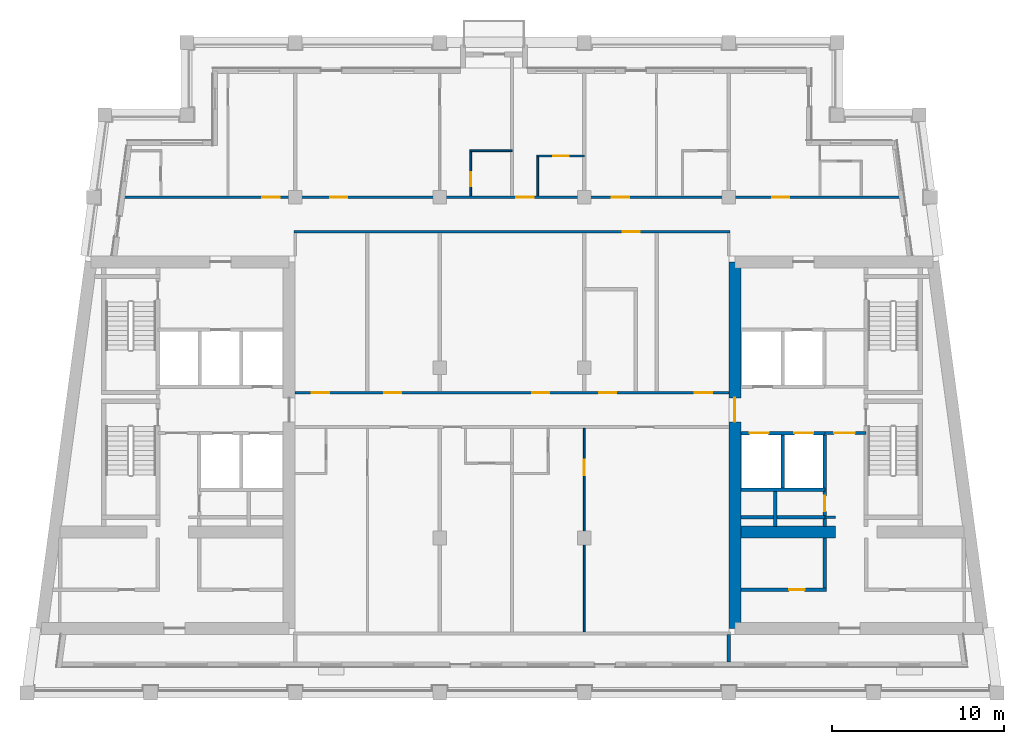
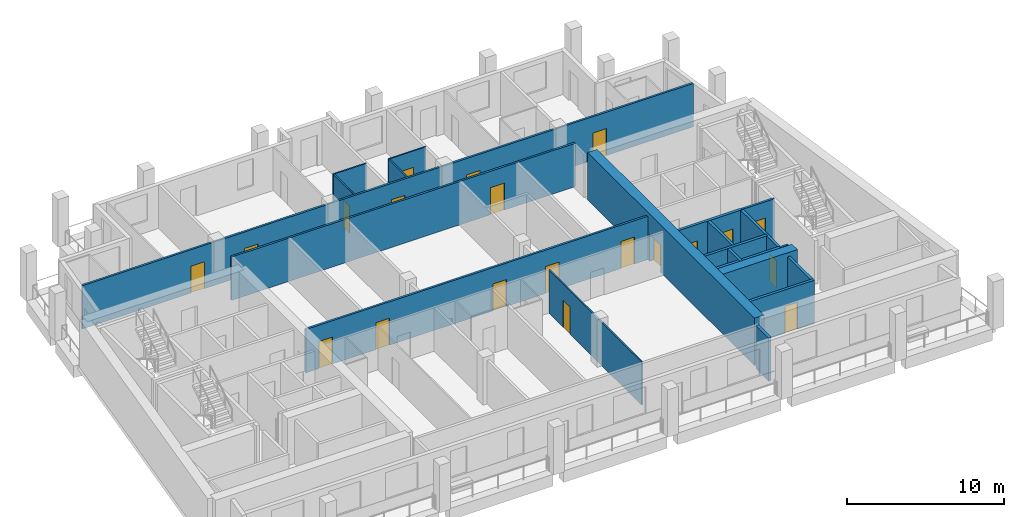
# One storey, part 4 of 14: 21 walls, 20 doors, 20 openings.
"""IFC4 building model written with IfcOpenShell, lengths in metres."""

from ifc_helpers import new_model, si_unit, direction, frame, frame_2d, origin, place, context, subcontext, project, spatial, rectangle, extrude, material, layer, layer_set, type_object, element, fill, save


model = new_model("IFC4")

# Units and contexts
model_context = context("Model", 3, precision=1e-05, world=origin(), true_north=direction((0.0, 1.0)))
body_context = subcontext(model_context, "Body", "Model", "MODEL_VIEW")
ifc_project = project(units=[si_unit("LENGTHUNIT", "METRE"), si_unit("AREAUNIT", "SQUARE_METRE"), si_unit("VOLUMEUNIT", "CUBIC_METRE"), si_unit("PLANEANGLEUNIT", "RADIAN"), si_unit("MASSUNIT", "GRAM", prefix="KILO")], contexts=[model_context])

# Site, building, storey
site_placement = place(None, origin())
site = spatial("IfcSite", under=ifc_project, at=site_placement, CompositionType="ELEMENT")
building_placement = place(site_placement, origin())
building = spatial("IfcBuilding", under=site, at=building_placement, Name="Candeia Pilgrim Tower and Theatre", CompositionType="ELEMENT")
storey_placement = place(building_placement, frame((0.0, 0.0, 266.39990234375)))
storey = spatial("IfcBuildingStorey", under=building, at=storey_placement, Name="L64", CompositionType="ELEMENT", Elevation=266.39990234375)

# Wall, opening, door
ifc_material_1 = material(Name="Concrete C40/50", Category="concrete")
ifc_layer_1 = layer(ifc_material_1, 0.699951171875)
ifc_layer_set_1 = layer_set([ifc_layer_1], Name="Core wall 700 C40/50")
wall_type_1 = type_object("IfcWallType", Name="Core wall 700 C40/50", PredefinedType="SHEAR", material=ifc_layer_set_1)
wall_1_placement = place(storey_placement, frame((126.35009765625, 110.75, 0.0), z_axis=(0.0, 0.0, 1.0), x_axis=(0.0, 1.0, 0.0)))
wall_1 = element("IfcWall", 1, at=wall_1_placement, inside=storey, type_object=wall_type_1, Name="Core wall E4", PredefinedType="SHEAR", context=body_context, shape_type="SweptSolid", body=[
    extrude(rectangle(XDim=21.300048828125, YDim=0.699951171875, at=frame_2d((10.64990234375, 0.0))), origin(), (0.0, 0.0, 1.0), 3.7001953125),
])
opening_1_placement = place(wall_1_placement, frame((12.0, 0.0, 0.0)))
opening_1 = element("IfcOpeningElement", 2, at=opening_1_placement, cuts=wall_1, Name="Opening L64-D046", PredefinedType="OPENING", context=body_context, shape_type="SweptSolid", body=[
    extrude(rectangle(XDim=1.39990234375, YDim=2.10009765625, at=frame_2d((0.699951171875, 1.050048828125))), frame((0.0, 0.35986328125, 0.0), z_axis=(0.0, -1.0, 0.0), x_axis=(1.0, 0.0, 0.0)), (0.0, 0.0, 1.0), 0.719970703125),
])
ifc_material_2 = material(Name="Steel fire door set", Category="steel")
door_type_1 = type_object("IfcDoorType", Name="D-1400-FD60", OperationType="NOTDEFINED", PredefinedType="DOOR", material=ifc_material_2)
door_1_placement = place(opening_1_placement, origin())
door_1 = element("IfcDoor", 3, at=door_1_placement, inside=storey, type_object=door_type_1, Name="Door L64-D046", OperationType="SINGLE_SWING_RIGHT", OverallHeight=2.10009765625, OverallWidth=1.39990234375, PredefinedType="DOOR", context=body_context, shape_type="SweptSolid", body=[
    extrude(rectangle(XDim=1.39990234375, YDim=2.10009765625, at=frame_2d((0.699951171875, 1.050048828125))), frame((0.0, 0.02490234375, 0.0), z_axis=(0.0, -1.0, 0.0), x_axis=(1.0, 0.0, 0.0)), (0.0, 0.0, 1.0), 0.050048828125),
])
fill(opening_1, door_1)

# Wall
wall_2_placement = place(storey_placement, frame((126.699951171875, 116.35009765625, 0.0), z_axis=(0.0, 0.0, 1.0), x_axis=(1.0, 0.0, 0.0)))
element("IfcWall", 4, at=wall_2_placement, inside=storey, type_object=wall_type_1, Name="Core wall E5", PredefinedType="SHEAR", context=body_context, shape_type="SweptSolid", body=[
    extrude(rectangle(XDim=5.5, YDim=0.699951171875, at=frame_2d((2.75, 0.0))), origin(), (0.0, 0.0, 1.0), 3.7001953125),
])

# Wall, opening, door
ifc_material_3 = material(Name="Gypsum board partition on steel studs", Category="steel")
ifc_layer_2 = layer(ifc_material_3, 0.10009765625)
ifc_layer_set_2 = layer_set([ifc_layer_2], Name="PW-100 room partition")
wall_type_2 = type_object("IfcWallType", Name="PW-100 room partition", PredefinedType="PARTITIONING", material=ifc_layer_set_2)
wall_3_placement = place(storey_placement, frame((114.85009765625, 138.199951171875, 0.0), z_axis=(0.0, 0.0, 1.0), x_axis=(1.0, 0.0, 0.0)))
wall_3 = element("IfcWall", 5, at=wall_3_placement, inside=storey, type_object=wall_type_2, Name="Room partition L64-039", PredefinedType="PARTITIONING", context=body_context, shape_type="SweptSolid", body=[
    extrude(rectangle(XDim=2.75, YDim=0.10009765625, at=frame_2d((1.375, 0.0))), origin(), (0.0, 0.0, 1.0), 3.380126953125),
])
opening_2_placement = place(wall_3_placement, frame((0.949951171875, 0.0, 0.0)))
opening_2 = element("IfcOpeningElement", 6, at=opening_2_placement, cuts=wall_3, Name="Opening L64-D028", PredefinedType="OPENING", context=body_context, shape_type="SweptSolid", body=[
    extrude(rectangle(XDim=0.89990234375, YDim=2.10009765625, at=frame_2d((0.449951171875, 1.050048828125))), frame((0.0, 0.06005859375, 0.0), z_axis=(0.0, -1.0, 0.0), x_axis=(1.0, 0.0, 0.0)), (0.0, 0.0, 1.0), 0.1201171875),
])
ifc_material_4 = material(Name="Timber door leaf", Category="wood")
door_type_2 = type_object("IfcDoorType", Name="D-900", OperationType="NOTDEFINED", PredefinedType="DOOR", material=ifc_material_4)
door_2_placement = place(opening_2_placement, origin())
door_2 = element("IfcDoor", 7, at=door_2_placement, inside=storey, type_object=door_type_2, Name="Door L64-D028", OperationType="SINGLE_SWING_RIGHT", OverallHeight=2.10009765625, OverallWidth=0.89990234375, PredefinedType="DOOR", context=body_context, shape_type="SweptSolid", body=[
    extrude(rectangle(XDim=0.89990234375, YDim=2.10009765625, at=frame_2d((0.449951171875, 1.050048828125))), frame((0.0, 0.02490234375, 0.0), z_axis=(0.0, -1.0, 0.0), x_axis=(1.0, 0.0, 0.0)), (0.0, 0.0, 1.0), 0.050048828125),
])
fill(opening_2, door_2)

# Wall
wall_4_placement = place(storey_placement, frame((110.949951171875, 138.5, 0.0), z_axis=(0.0, 0.0, 1.0), x_axis=(1.0, 0.0, 0.0)))
element("IfcWall", 8, at=wall_4_placement, inside=storey, type_object=wall_type_2, Name="Room partition L64-041", PredefinedType="PARTITIONING", context=body_context, shape_type="SweptSolid", body=[
    extrude(rectangle(XDim=2.449951171875, YDim=0.10009765625, at=frame_2d((1.22509765625, 0.0))), origin(), (0.0, 0.0, 1.0), 3.380126953125),
])

# Wall, opening, door
wall_5_placement = place(storey_placement, frame((111.0, 135.875, 0.0), z_axis=(0.0, 0.0, 1.0), x_axis=(0.0, 1.0, 0.0)))
wall_5 = element("IfcWall", 9, at=wall_5_placement, inside=storey, type_object=wall_type_2, Name="Room partition L64-069", PredefinedType="PARTITIONING", context=body_context, shape_type="SweptSolid", body=[
    extrude(rectangle(XDim=2.574951171875, YDim=0.10009765625, at=frame_2d((1.28759765625, 0.0))), origin(), (0.0, 0.0, 1.0), 3.380126953125),
])
opening_3_placement = place(wall_5_placement, frame((0.574951171875, 0.0, 0.0)))
opening_3 = element("IfcOpeningElement", 10, at=opening_3_placement, cuts=wall_5, Name="Opening L64-D026", PredefinedType="OPENING", context=body_context, shape_type="SweptSolid", body=[
    extrude(rectangle(XDim=0.800048828125, YDim=2.10009765625, at=frame_2d((0.39990234375, 1.050048828125))), frame((0.0, 0.06005859375, 0.0), z_axis=(0.0, -1.0, 0.0), x_axis=(1.0, 0.0, 0.0)), (0.0, 0.0, 1.0), 0.1201171875),
])
door_type_3 = type_object("IfcDoorType", Name="D-800", OperationType="NOTDEFINED", PredefinedType="DOOR", material=ifc_material_4)
door_3_placement = place(opening_3_placement, origin())
door_3 = element("IfcDoor", 11, at=door_3_placement, inside=storey, type_object=door_type_3, Name="Door L64-D026", OperationType="SINGLE_SWING_RIGHT", OverallHeight=2.10009765625, OverallWidth=0.800048828125, PredefinedType="DOOR", context=body_context, shape_type="SweptSolid", body=[
    extrude(rectangle(XDim=0.800048828125, YDim=2.10009765625, at=frame_2d((0.39990234375, 1.050048828125))), frame((0.0, 0.02490234375, 0.0), z_axis=(0.0, -1.0, 0.0), x_axis=(1.0, 0.0, 0.0)), (0.0, 0.0, 1.0), 0.050048828125),
])
fill(opening_3, door_3)

# Wall
wall_6_placement = place(storey_placement, frame((114.89990234375, 135.875, 0.0), z_axis=(0.0, 0.0, 1.0), x_axis=(0.0, 1.0, 0.0)))
element("IfcWall", 12, at=wall_6_placement, inside=storey, type_object=wall_type_2, Name="Room partition L64-072", PredefinedType="PARTITIONING", context=body_context, shape_type="SweptSolid", body=[
    extrude(rectangle(XDim=2.27490234375, YDim=0.10009765625, at=frame_2d((1.137451171875, 0.0))), origin(), (0.0, 0.0, 1.0), 3.380126953125),
])

# Wall, opening, door
wall_7_placement = place(storey_placement, frame((117.60009765625, 110.550048828125, 0.0), z_axis=(0.0, 0.0, 1.0), x_axis=(0.0, 1.0, 0.0)))
wall_7 = element("IfcWall", 13, at=wall_7_placement, inside=storey, type_object=wall_type_2, Name="Room partition L64-074", PredefinedType="PARTITIONING", context=body_context, shape_type="SweptSolid", body=[
    extrude(rectangle(XDim=11.824951171875, YDim=0.10009765625, at=frame_2d((5.91259765625, 0.0))), origin(), (0.0, 0.0, 1.0), 3.380126953125),
])
opening_4_placement = place(wall_7_placement, frame((9.090087890625, 0.0, 0.0)))
opening_4 = element("IfcOpeningElement", 14, at=opening_4_placement, cuts=wall_7, Name="Opening L64-D019", PredefinedType="OPENING", context=body_context, shape_type="SweptSolid", body=[
    extrude(rectangle(XDim=0.89990234375, YDim=2.10009765625, at=frame_2d((0.449951171875, 1.050048828125))), frame((0.0, 0.06005859375, 0.0), z_axis=(0.0, -1.0, 0.0), x_axis=(1.0, 0.0, 0.0)), (0.0, 0.0, 1.0), 0.1201171875),
])
door_4_placement = place(opening_4_placement, origin())
door_4 = element("IfcDoor", 15, at=door_4_placement, inside=storey, type_object=door_type_2, Name="Door L64-D019", OperationType="SINGLE_SWING_LEFT", OverallHeight=2.10009765625, OverallWidth=0.89990234375, PredefinedType="DOOR", context=body_context, shape_type="SweptSolid", body=[
    extrude(rectangle(XDim=0.89990234375, YDim=2.10009765625, at=frame_2d((0.449951171875, 1.050048828125))), frame((0.0, 0.02490234375, 0.0), z_axis=(0.0, -1.0, 0.0), x_axis=(1.0, 0.0, 0.0)), (0.0, 0.0, 1.0), 0.050048828125),
])
fill(opening_4, door_4)

# Wall
ifc_layer_3 = layer(ifc_material_3, 0.14990234375)
ifc_layer_set_3 = layer_set([ifc_layer_3], Name="PW-150 lobby wall")
wall_type_3 = type_object("IfcWallType", Name="PW-150 lobby wall", PredefinedType="PARTITIONING", material=ifc_layer_set_3)
wall_8_placement = place(storey_placement, frame((131.572998046875, 117.199951171875, 0.0), z_axis=(0.0, 0.0, 1.0), x_axis=(1.0, 0.0, 0.0)))
element("IfcWall", 16, at=wall_8_placement, inside=storey, type_object=wall_type_3, Name="Lobby wall L64-009", PredefinedType="PARTITIONING", context=body_context, shape_type="SweptSolid", body=[
    extrude(rectangle(XDim=0.626953125, YDim=0.14990234375, at=frame_2d((0.3134765625, 0.0))), origin(), (0.0, 0.0, 1.0), 3.380126953125),
])

# Wall, opening, door
wall_9_placement = place(storey_placement, frame((131.572998046875, 122.10009765625, 0.0), z_axis=(0.0, 0.0, 1.0), x_axis=(1.0, 0.0, 0.0)))
wall_9 = element("IfcWall", 17, at=wall_9_placement, inside=storey, type_object=wall_type_3, Name="Lobby wall L64-020", PredefinedType="PARTITIONING", context=body_context, shape_type="SweptSolid", body=[
    extrude(rectangle(XDim=2.39990234375, YDim=0.14990234375, at=frame_2d((1.199951171875, 0.0))), origin(), (0.0, 0.0, 1.0), 3.380126953125),
])
opening_5_placement = place(wall_9_placement, frame((0.550048828125, 0.0, 0.0)))
opening_5 = element("IfcOpeningElement", 18, at=opening_5_placement, cuts=wall_9, Name="Opening L64-D007", PredefinedType="OPENING", context=body_context, shape_type="SweptSolid", body=[
    extrude(rectangle(XDim=1.199951171875, YDim=2.10009765625, at=frame_2d((0.60009765625, 1.050048828125))), frame((0.0, 0.0849609375, 0.0), z_axis=(0.0, -1.0, 0.0), x_axis=(1.0, 0.0, 0.0)), (0.0, 0.0, 1.0), 0.169921875),
])
door_type_4 = type_object("IfcDoorType", Name="D-1200-FD60", OperationType="NOTDEFINED", PredefinedType="DOOR", material=ifc_material_2)
door_5_placement = place(opening_5_placement, origin())
door_5 = element("IfcDoor", 19, at=door_5_placement, inside=storey, type_object=door_type_4, Name="Door L64-D007", OperationType="SINGLE_SWING_LEFT", OverallHeight=2.10009765625, OverallWidth=1.199951171875, PredefinedType="DOOR", context=body_context, shape_type="SweptSolid", body=[
    extrude(rectangle(XDim=1.199951171875, YDim=2.10009765625, at=frame_2d((0.60009765625, 1.050048828125))), frame((0.0, 0.02490234375, 0.0), z_axis=(0.0, -1.0, 0.0), x_axis=(1.0, 0.0, 0.0)), (0.0, 0.0, 1.0), 0.050048828125),
])
fill(opening_5, door_5)

# Wall, openings, doors
ifc_layer_4 = layer(ifc_material_3, 0.14990234375)
ifc_layer_set_4 = layer_set([ifc_layer_4], Name="PW-150 unit wall")
wall_type_4 = type_object("IfcWallType", Name="PW-150 unit wall", PredefinedType="PARTITIONING", material=ifc_layer_set_4)
wall_10_placement = place(storey_placement, frame((100.800048828125, 124.449951171875, 0.0), z_axis=(0.0, 0.0, 1.0), x_axis=(1.0, 0.0, 0.0)))
wall_10 = element("IfcWall", 20, at=wall_10_placement, inside=storey, type_object=wall_type_4, Name="Unit wall L64-026", PredefinedType="PARTITIONING", context=body_context, shape_type="SweptSolid", body=[
    extrude(rectangle(XDim=25.199951171875, YDim=0.14990234375, at=frame_2d((12.60009765625, 0.0))), origin(), (0.0, 0.0, 1.0), 3.380126953125),
])
opening_6_placement = place(wall_10_placement, frame((0.97509765625, 0.0, 0.0)))
opening_6 = element("IfcOpeningElement", 21, at=opening_6_placement, cuts=wall_10, Name="Opening L64-D036", PredefinedType="OPENING", context=body_context, shape_type="SweptSolid", body=[
    extrude(rectangle(XDim=1.0, YDim=2.10009765625, at=frame_2d((0.5, 1.050048828125))), frame((0.0, 0.0849609375, 0.0), z_axis=(0.0, -1.0, 0.0), x_axis=(1.0, 0.0, 0.0)), (0.0, 0.0, 1.0), 0.169921875),
])
opening_7_placement = place(wall_10_placement, frame((5.175048828125, 0.0, 0.0)))
opening_7 = element("IfcOpeningElement", 22, at=opening_7_placement, cuts=wall_10, Name="Opening L64-D037", PredefinedType="OPENING", context=body_context, shape_type="SweptSolid", body=[
    extrude(rectangle(XDim=1.0, YDim=2.10009765625, at=frame_2d((0.5, 1.050048828125))), frame((0.0, 0.0849609375, 0.0), z_axis=(0.0, -1.0, 0.0), x_axis=(1.0, 0.0, 0.0)), (0.0, 0.0, 1.0), 0.169921875),
])
opening_8_placement = place(wall_10_placement, frame((13.77490234375, 0.0, 0.0)))
opening_8 = element("IfcOpeningElement", 23, at=opening_8_placement, cuts=wall_10, Name="Opening L64-D038", PredefinedType="OPENING", context=body_context, shape_type="SweptSolid", body=[
    extrude(rectangle(XDim=1.0, YDim=2.10009765625, at=frame_2d((0.5, 1.050048828125))), frame((0.0, 0.0849609375, 0.0), z_axis=(0.0, -1.0, 0.0), x_axis=(1.0, 0.0, 0.0)), (0.0, 0.0, 1.0), 0.169921875),
])
opening_9_placement = place(wall_10_placement, frame((17.669921875, 0.0, 0.0)))
opening_9 = element("IfcOpeningElement", 24, at=opening_9_placement, cuts=wall_10, Name="Opening L64-D039", PredefinedType="OPENING", context=body_context, shape_type="SweptSolid", body=[
    extrude(rectangle(XDim=1.0, YDim=2.10009765625, at=frame_2d((0.5, 1.050048828125))), frame((0.0, 0.0849609375, 0.0), z_axis=(0.0, -1.0, 0.0), x_axis=(1.0, 0.0, 0.0)), (0.0, 0.0, 1.0), 0.169921875),
])
opening_10_placement = place(wall_10_placement, frame((23.22509765625, 0.0, 0.0)))
opening_10 = element("IfcOpeningElement", 25, at=opening_10_placement, cuts=wall_10, Name="Opening L64-D040", PredefinedType="OPENING", context=body_context, shape_type="SweptSolid", body=[
    extrude(rectangle(XDim=1.0, YDim=2.10009765625, at=frame_2d((0.5, 1.050048828125))), frame((0.0, 0.0849609375, 0.0), z_axis=(0.0, -1.0, 0.0), x_axis=(1.0, 0.0, 0.0)), (0.0, 0.0, 1.0), 0.169921875),
])
door_type_5 = type_object("IfcDoorType", Name="D-1000-FD30S", OperationType="NOTDEFINED", PredefinedType="DOOR", material=ifc_material_2)
door_6_placement = place(opening_6_placement, origin())
door_6 = element("IfcDoor", 26, at=door_6_placement, inside=storey, type_object=door_type_5, Name="Door L64-D036", OperationType="SINGLE_SWING_RIGHT", OverallHeight=2.10009765625, OverallWidth=1.0, PredefinedType="DOOR", context=body_context, shape_type="SweptSolid", body=[
    extrude(rectangle(XDim=1.0, YDim=2.10009765625, at=frame_2d((0.5, 1.050048828125))), frame((0.0, 0.02490234375, 0.0), z_axis=(0.0, -1.0, 0.0), x_axis=(1.0, 0.0, 0.0)), (0.0, 0.0, 1.0), 0.050048828125),
])
fill(opening_6, door_6)
door_7_placement = place(opening_7_placement, origin())
door_7 = element("IfcDoor", 27, at=door_7_placement, inside=storey, type_object=door_type_5, Name="Door L64-D037", OperationType="SINGLE_SWING_LEFT", OverallHeight=2.10009765625, OverallWidth=1.0, PredefinedType="DOOR", context=body_context, shape_type="SweptSolid", body=[
    extrude(rectangle(XDim=1.0, YDim=2.10009765625, at=frame_2d((0.5, 1.050048828125))), frame((0.0, 0.02490234375, 0.0), z_axis=(0.0, -1.0, 0.0), x_axis=(1.0, 0.0, 0.0)), (0.0, 0.0, 1.0), 0.050048828125),
])
fill(opening_7, door_7)
door_8_placement = place(opening_8_placement, origin())
door_8 = element("IfcDoor", 28, at=door_8_placement, inside=storey, type_object=door_type_5, Name="Door L64-D038", OperationType="SINGLE_SWING_RIGHT", OverallHeight=2.10009765625, OverallWidth=1.0, PredefinedType="DOOR", context=body_context, shape_type="SweptSolid", body=[
    extrude(rectangle(XDim=1.0, YDim=2.10009765625, at=frame_2d((0.5, 1.050048828125))), frame((0.0, 0.02490234375, 0.0), z_axis=(0.0, -1.0, 0.0), x_axis=(1.0, 0.0, 0.0)), (0.0, 0.0, 1.0), 0.050048828125),
])
fill(opening_8, door_8)
door_9_placement = place(opening_9_placement, origin())
door_9 = element("IfcDoor", 29, at=door_9_placement, inside=storey, type_object=door_type_5, Name="Door L64-D039", OperationType="SINGLE_SWING_LEFT", OverallHeight=2.10009765625, OverallWidth=1.0, PredefinedType="DOOR", context=body_context, shape_type="SweptSolid", body=[
    extrude(rectangle(XDim=1.0, YDim=2.10009765625, at=frame_2d((0.5, 1.050048828125))), frame((0.0, 0.02490234375, 0.0), z_axis=(0.0, -1.0, 0.0), x_axis=(1.0, 0.0, 0.0)), (0.0, 0.0, 1.0), 0.050048828125),
])
fill(opening_9, door_9)
door_10_placement = place(opening_10_placement, origin())
door_10 = element("IfcDoor", 30, at=door_10_placement, inside=storey, type_object=door_type_5, Name="Door L64-D040", OperationType="SINGLE_SWING_RIGHT", OverallHeight=2.10009765625, OverallWidth=1.0, PredefinedType="DOOR", context=body_context, shape_type="SweptSolid", body=[
    extrude(rectangle(XDim=1.0, YDim=2.10009765625, at=frame_2d((0.5, 1.050048828125))), frame((0.0, 0.02490234375, 0.0), z_axis=(0.0, -1.0, 0.0), x_axis=(1.0, 0.0, 0.0)), (0.0, 0.0, 1.0), 0.050048828125),
])
fill(opening_10, door_10)

# Wall, opening, door
wall_11_placement = place(storey_placement, frame((100.72509765625, 133.800048828125, 0.0), z_axis=(0.0, 0.0, 1.0), x_axis=(1.0, 0.0, 0.0)))
wall_11 = element("IfcWall", 31, at=wall_11_placement, inside=storey, type_object=wall_type_4, Name="Unit wall L64-036", PredefinedType="PARTITIONING", context=body_context, shape_type="SweptSolid", body=[
    extrude(rectangle(XDim=25.349853515625, YDim=0.14990234375, at=frame_2d((12.6748046875, 0.0))), origin(), (0.0, 0.0, 1.0), 3.380126953125),
])
opening_11_placement = place(wall_11_placement, frame((19.10009765625, 0.0, 0.0)))
opening_11 = element("IfcOpeningElement", 32, at=opening_11_placement, cuts=wall_11, Name="Opening L64-D035", PredefinedType="OPENING", context=body_context, shape_type="SweptSolid", body=[
    extrude(rectangle(XDim=1.0, YDim=2.10009765625, at=frame_2d((0.5, 1.050048828125))), frame((0.0, 0.0849609375, 0.0), z_axis=(0.0, -1.0, 0.0), x_axis=(1.0, 0.0, 0.0)), (0.0, 0.0, 1.0), 0.169921875),
])
door_11_placement = place(opening_11_placement, origin())
door_11 = element("IfcDoor", 33, at=door_11_placement, inside=storey, type_object=door_type_5, Name="Door L64-D035", OperationType="SINGLE_SWING_LEFT", OverallHeight=2.10009765625, OverallWidth=1.0, PredefinedType="DOOR", context=body_context, shape_type="SweptSolid", body=[
    extrude(rectangle(XDim=1.0, YDim=2.10009765625, at=frame_2d((0.5, 1.050048828125))), frame((0.0, 0.02490234375, 0.0), z_axis=(0.0, -1.0, 0.0), x_axis=(1.0, 0.0, 0.0)), (0.0, 0.0, 1.0), 0.050048828125),
])
fill(opening_11, door_11)

# Wall, openings, doors
wall_12_placement = place(storey_placement, frame((90.89453125, 135.800048828125, 0.0), z_axis=(0.0, 0.0, 1.0), x_axis=(1.0, 0.0, 0.0)))
wall_12 = element("IfcWall", 34, at=wall_12_placement, inside=storey, type_object=wall_type_4, Name="Unit wall L64-037", PredefinedType="PARTITIONING", context=body_context, shape_type="SweptSolid", body=[
    extrude(rectangle(XDim=45.010986328125, YDim=0.14990234375, at=frame_2d((22.50537109375, 0.0))), origin(), (0.0, 0.0, 1.0), 3.380126953125),
])
opening_12_placement = place(wall_12_placement, frame((8.00537109375, 0.0, 0.0)))
opening_12 = element("IfcOpeningElement", 35, at=opening_12_placement, cuts=wall_12, Name="Opening L64-D021", PredefinedType="OPENING", context=body_context, shape_type="SweptSolid", body=[
    extrude(rectangle(XDim=1.0, YDim=2.10009765625, at=frame_2d((0.5, 1.050048828125))), frame((0.0, 0.0849609375, 0.0), z_axis=(0.0, -1.0, 0.0), x_axis=(1.0, 0.0, 0.0)), (0.0, 0.0, 1.0), 0.169921875),
])
opening_13_placement = place(wall_12_placement, frame((11.930419921875, 0.0, 0.0)))
opening_13 = element("IfcOpeningElement", 36, at=opening_13_placement, cuts=wall_12, Name="Opening L64-D024", PredefinedType="OPENING", context=body_context, shape_type="SweptSolid", body=[
    extrude(rectangle(XDim=1.0, YDim=2.10009765625, at=frame_2d((0.5, 1.050048828125))), frame((0.0, 0.0849609375, 0.0), z_axis=(0.0, -1.0, 0.0), x_axis=(1.0, 0.0, 0.0)), (0.0, 0.0, 1.0), 0.169921875),
])
opening_14_placement = place(wall_12_placement, frame((22.75537109375, 0.0, 0.0)))
opening_14 = element("IfcOpeningElement", 37, at=opening_14_placement, cuts=wall_12, Name="Opening L64-D027", PredefinedType="OPENING", context=body_context, shape_type="SweptSolid", body=[
    extrude(rectangle(XDim=1.0, YDim=2.10009765625, at=frame_2d((0.5, 1.050048828125))), frame((0.0, 0.0849609375, 0.0), z_axis=(0.0, -1.0, 0.0), x_axis=(1.0, 0.0, 0.0)), (0.0, 0.0, 1.0), 0.169921875),
])
opening_15_placement = place(wall_12_placement, frame((28.305419921875, 0.0, 0.0)))
opening_15 = element("IfcOpeningElement", 38, at=opening_15_placement, cuts=wall_12, Name="Opening L64-D029", PredefinedType="OPENING", context=body_context, shape_type="SweptSolid", body=[
    extrude(rectangle(XDim=1.0, YDim=2.10009765625, at=frame_2d((0.5, 1.050048828125))), frame((0.0, 0.0849609375, 0.0), z_axis=(0.0, -1.0, 0.0), x_axis=(1.0, 0.0, 0.0)), (0.0, 0.0, 1.0), 0.169921875),
])
opening_16_placement = place(wall_12_placement, frame((37.615478515625, 0.0, 0.0)))
opening_16 = element("IfcOpeningElement", 39, at=opening_16_placement, cuts=wall_12, Name="Opening L64-D032", PredefinedType="OPENING", context=body_context, shape_type="SweptSolid", body=[
    extrude(rectangle(XDim=1.0, YDim=2.10009765625, at=frame_2d((0.5, 1.050048828125))), frame((0.0, 0.0849609375, 0.0), z_axis=(0.0, -1.0, 0.0), x_axis=(1.0, 0.0, 0.0)), (0.0, 0.0, 1.0), 0.169921875),
])
door_12_placement = place(opening_12_placement, origin())
door_12 = element("IfcDoor", 40, at=door_12_placement, inside=storey, type_object=door_type_5, Name="Door L64-D021", OperationType="SINGLE_SWING_LEFT", OverallHeight=2.10009765625, OverallWidth=1.0, PredefinedType="DOOR", context=body_context, shape_type="SweptSolid", body=[
    extrude(rectangle(XDim=1.0, YDim=2.10009765625, at=frame_2d((0.5, 1.050048828125))), frame((0.0, 0.02490234375, 0.0), z_axis=(0.0, -1.0, 0.0), x_axis=(1.0, 0.0, 0.0)), (0.0, 0.0, 1.0), 0.050048828125),
])
fill(opening_12, door_12)
door_13_placement = place(opening_13_placement, origin())
door_13 = element("IfcDoor", 41, at=door_13_placement, inside=storey, type_object=door_type_5, Name="Door L64-D024", OperationType="SINGLE_SWING_RIGHT", OverallHeight=2.10009765625, OverallWidth=1.0, PredefinedType="DOOR", context=body_context, shape_type="SweptSolid", body=[
    extrude(rectangle(XDim=1.0, YDim=2.10009765625, at=frame_2d((0.5, 1.050048828125))), frame((0.0, 0.02490234375, 0.0), z_axis=(0.0, -1.0, 0.0), x_axis=(1.0, 0.0, 0.0)), (0.0, 0.0, 1.0), 0.050048828125),
])
fill(opening_13, door_13)
door_14_placement = place(opening_14_placement, origin())
door_14 = element("IfcDoor", 42, at=door_14_placement, inside=storey, type_object=door_type_5, Name="Door L64-D027", OperationType="SINGLE_SWING_LEFT", OverallHeight=2.10009765625, OverallWidth=1.0, PredefinedType="DOOR", context=body_context, shape_type="SweptSolid", body=[
    extrude(rectangle(XDim=1.0, YDim=2.10009765625, at=frame_2d((0.5, 1.050048828125))), frame((0.0, 0.02490234375, 0.0), z_axis=(0.0, -1.0, 0.0), x_axis=(1.0, 0.0, 0.0)), (0.0, 0.0, 1.0), 0.050048828125),
])
fill(opening_14, door_14)
door_15_placement = place(opening_15_placement, origin())
door_15 = element("IfcDoor", 43, at=door_15_placement, inside=storey, type_object=door_type_5, Name="Door L64-D029", OperationType="SINGLE_SWING_LEFT", OverallHeight=2.10009765625, OverallWidth=1.0, PredefinedType="DOOR", context=body_context, shape_type="SweptSolid", body=[
    extrude(rectangle(XDim=1.0, YDim=2.10009765625, at=frame_2d((0.5, 1.050048828125))), frame((0.0, 0.02490234375, 0.0), z_axis=(0.0, -1.0, 0.0), x_axis=(1.0, 0.0, 0.0)), (0.0, 0.0, 1.0), 0.050048828125),
])
fill(opening_15, door_15)
door_16_placement = place(opening_16_placement, origin())
door_16 = element("IfcDoor", 44, at=door_16_placement, inside=storey, type_object=door_type_5, Name="Door L64-D032", OperationType="SINGLE_SWING_RIGHT", OverallHeight=2.10009765625, OverallWidth=1.0, PredefinedType="DOOR", context=body_context, shape_type="SweptSolid", body=[
    extrude(rectangle(XDim=1.0, YDim=2.10009765625, at=frame_2d((0.5, 1.050048828125))), frame((0.0, 0.02490234375, 0.0), z_axis=(0.0, -1.0, 0.0), x_axis=(1.0, 0.0, 0.0)), (0.0, 0.0, 1.0), 0.050048828125),
])
fill(opening_16, door_16)

# Wall
ifc_layer_5 = layer(ifc_material_3, 0.199951171875)
ifc_layer_set_5 = layer_set([ifc_layer_5], Name="PW-200 party wall")
wall_type_5 = type_object("IfcWallType", Name="PW-200 party wall", PredefinedType="PARTITIONING", material=ifc_layer_set_5)
wall_13_placement = place(storey_placement, frame((126.0, 108.7900390625, 0.0), z_axis=(0.0, 0.0, 1.0), x_axis=(0.0, 1.0, 0.0)))
element("IfcWall", 45, at=wall_13_placement, inside=storey, type_object=wall_type_5, Name="Party wall L64-081", PredefinedType="PARTITIONING", context=body_context, shape_type="SweptSolid", body=[
    extrude(rectangle(XDim=1.60986328125, YDim=0.199951171875, at=frame_2d((0.804931640625, 0.0))), origin(), (0.0, 0.0, 1.0), 3.380126953125),
])

# Wall, opening, door
ifc_layer_6 = layer(ifc_material_1, 0.199951171875)
ifc_layer_set_6 = layer_set([ifc_layer_6], Name="SW-200 shaft wall")
wall_type_6 = type_object("IfcWallType", Name="SW-200 shaft wall", PredefinedType="PARTITIONING", material=ifc_layer_set_6)
wall_14_placement = place(storey_placement, frame((126.699951171875, 113.0, 0.0), z_axis=(0.0, 0.0, 1.0), x_axis=(1.0, 0.0, 0.0)))
wall_14 = element("IfcWall", 46, at=wall_14_placement, inside=storey, type_object=wall_type_6, Name="Shaft wall L64-004", PredefinedType="PARTITIONING", context=body_context, shape_type="SweptSolid", body=[
    extrude(rectangle(XDim=4.97314453125, YDim=0.199951171875, at=frame_2d((2.486572265625, 0.0))), origin(), (0.0, 0.0, 1.0), 3.380126953125),
])
opening_17_placement = place(wall_14_placement, frame((2.804931640625, 0.0, 0.0)))
opening_17 = element("IfcOpeningElement", 47, at=opening_17_placement, cuts=wall_14, Name="Opening L64-D012", PredefinedType="OPENING", context=body_context, shape_type="SweptSolid", body=[
    extrude(rectangle(XDim=0.89990234375, YDim=2.10009765625, at=frame_2d((0.449951171875, 1.050048828125))), frame((0.0, 0.10986328125, 0.0), z_axis=(0.0, -1.0, 0.0), x_axis=(1.0, 0.0, 0.0)), (0.0, 0.0, 1.0), 0.219970703125),
])
door_type_6 = type_object("IfcDoorType", Name="D-900-FD60", OperationType="NOTDEFINED", PredefinedType="DOOR", material=ifc_material_2)
door_17_placement = place(opening_17_placement, origin())
door_17 = element("IfcDoor", 48, at=door_17_placement, inside=storey, type_object=door_type_6, Name="Door L64-D012", OperationType="SINGLE_SWING_RIGHT", OverallHeight=2.10009765625, OverallWidth=0.89990234375, PredefinedType="DOOR", context=body_context, shape_type="SweptSolid", body=[
    extrude(rectangle(XDim=0.89990234375, YDim=2.10009765625, at=frame_2d((0.449951171875, 1.050048828125))), frame((0.0, 0.02490234375, 0.0), z_axis=(0.0, -1.0, 0.0), x_axis=(1.0, 0.0, 0.0)), (0.0, 0.0, 1.0), 0.050048828125),
])
fill(opening_17, door_17)

# Walls
for number, where, z_axis, x_axis, name in (
    (49, (126.699951171875, 117.199951171875, 0.0), (0.0, 0.0, 1.0), (1.0, 0.0, 0.0), "Shaft wall L64-007"),
    (50, (126.699951171875, 118.800048828125, 0.0), (0.0, 0.0, 1.0), (1.0, 0.0, 0.0), "Shaft wall L64-013"),
):
    element("IfcWall", number, at=place(storey_placement, frame(where, z_axis=z_axis, x_axis=x_axis)), inside=storey, type_object=wall_type_6, Name=name, PredefinedType="PARTITIONING", context=body_context, shape_type="SweptSolid", body=[
        extrude(rectangle(XDim=4.873046875, YDim=0.199951171875, at=frame_2d((2.4365234375, 0.0))), origin(), (0.0, 0.0, 1.0), 3.380126953125),
    ])

# Wall, openings, doors
wall_15_placement = place(storey_placement, frame((126.699951171875, 122.10009765625, 0.0), z_axis=(0.0, 0.0, 1.0), x_axis=(1.0, 0.0, 0.0)))
wall_15 = element("IfcWall", 51, at=wall_15_placement, inside=storey, type_object=wall_type_6, Name="Shaft wall L64-018", PredefinedType="PARTITIONING", context=body_context, shape_type="SweptSolid", body=[
    extrude(rectangle(XDim=4.873046875, YDim=0.199951171875, at=frame_2d((2.4365234375, 0.0))), origin(), (0.0, 0.0, 1.0), 3.380126953125),
])
opening_18_placement = place(wall_15_placement, frame((3.10498046875, 0.0, 0.0)))
opening_18 = element("IfcOpeningElement", 52, at=opening_18_placement, cuts=wall_15, Name="Opening L64-LD05", PredefinedType="OPENING", context=body_context, shape_type="SweptSolid", body=[
    extrude(rectangle(XDim=1.10009765625, YDim=2.10009765625, at=frame_2d((0.550048828125, 1.050048828125))), frame((0.0, 0.10986328125, 0.0), z_axis=(0.0, -1.0, 0.0), x_axis=(1.0, 0.0, 0.0)), (0.0, 0.0, 1.0), 0.219970703125),
])
opening_19_placement = place(wall_15_placement, frame((0.509033203125, 0.0, 0.0)))
opening_19 = element("IfcOpeningElement", 53, at=opening_19_placement, cuts=wall_15, Name="Opening L64-LD06", PredefinedType="OPENING", context=body_context, shape_type="SweptSolid", body=[
    extrude(rectangle(XDim=1.10009765625, YDim=2.10009765625, at=frame_2d((0.550048828125, 1.050048828125))), frame((0.0, 0.10986328125, 0.0), z_axis=(0.0, -1.0, 0.0), x_axis=(1.0, 0.0, 0.0)), (0.0, 0.0, 1.0), 0.219970703125),
])
ifc_material_5 = material(Name="Glazed aluminium landing door", Category="aluminium")
door_type_7 = type_object("IfcDoorType", Name="LD-1100-EI120", OperationType="SLIDING_TO_LEFT", PredefinedType="DOOR", material=ifc_material_5)
door_18_placement = place(opening_18_placement, origin())
door_18 = element("IfcDoor", 54, at=door_18_placement, inside=storey, type_object=door_type_7, Name="Landing door 05 L64", OperationType="SLIDING_TO_LEFT", OverallHeight=2.10009765625, OverallWidth=1.10009765625, PredefinedType="DOOR", context=body_context, shape_type="SweptSolid", body=[
    extrude(rectangle(XDim=1.10009765625, YDim=2.10009765625, at=frame_2d((0.550048828125, 1.050048828125))), frame((0.0, 0.02490234375, 0.0), z_axis=(0.0, -1.0, 0.0), x_axis=(1.0, 0.0, 0.0)), (0.0, 0.0, 1.0), 0.050048828125),
])
fill(opening_18, door_18)
door_19_placement = place(opening_19_placement, origin())
door_19 = element("IfcDoor", 55, at=door_19_placement, inside=storey, type_object=door_type_7, Name="Landing door 06 L64", OperationType="SLIDING_TO_LEFT", OverallHeight=2.10009765625, OverallWidth=1.10009765625, PredefinedType="DOOR", context=body_context, shape_type="SweptSolid", body=[
    extrude(rectangle(XDim=1.10009765625, YDim=2.10009765625, at=frame_2d((0.550048828125, 1.050048828125))), frame((0.0, 0.02490234375, 0.0), z_axis=(0.0, -1.0, 0.0), x_axis=(1.0, 0.0, 0.0)), (0.0, 0.0, 1.0), 0.050048828125),
])
fill(opening_19, door_19)

# Walls
wall_16_placement = place(storey_placement, frame((128.699951171875, 116.669921875, 0.0), z_axis=(0.0, 0.0, 1.0), x_axis=(0.0, 1.0, 0.0)))
element("IfcWall", 56, at=wall_16_placement, inside=storey, type_object=wall_type_6, Name="Shaft wall L64-084", PredefinedType="PARTITIONING", context=body_context, shape_type="SweptSolid", body=[
    extrude(rectangle(XDim=2.030029296875, YDim=0.199951171875, at=frame_2d((1.01513671875, 0.0))), origin(), (0.0, 0.0, 1.0), 3.380126953125),
])
wall_17_placement = place(storey_placement, frame((129.136474609375, 118.89990234375, 0.0), z_axis=(0.0, 0.0, 1.0), x_axis=(0.0, 1.0, 0.0)))
element("IfcWall", 57, at=wall_17_placement, inside=storey, type_object=wall_type_6, Name="Shaft wall L64-086", PredefinedType="PARTITIONING", context=body_context, shape_type="SweptSolid", body=[
    extrude(rectangle(XDim=3.10009765625, YDim=0.199951171875, at=frame_2d((1.550048828125, 0.0))), origin(), (0.0, 0.0, 1.0), 3.380126953125),
])
wall_18_placement = place(storey_placement, frame((131.572998046875, 113.10009765625, 0.0), z_axis=(0.0, 0.0, 1.0), x_axis=(0.0, 1.0, 0.0)))
element("IfcWall", 58, at=wall_18_placement, inside=storey, type_object=wall_type_6, Name="Shaft wall L64-089", PredefinedType="PARTITIONING", context=body_context, shape_type="SweptSolid", body=[
    extrude(rectangle(XDim=2.89990234375, YDim=0.199951171875, at=frame_2d((1.449951171875, 0.0))), origin(), (0.0, 0.0, 1.0), 3.380126953125),
])

# Wall, opening, door
wall_19_placement = place(storey_placement, frame((131.572998046875, 116.669921875, 0.0), z_axis=(0.0, 0.0, 1.0), x_axis=(0.0, 1.0, 0.0)))
wall_19 = element("IfcWall", 59, at=wall_19_placement, inside=storey, type_object=wall_type_6, Name="Shaft wall L64-090", PredefinedType="PARTITIONING", context=body_context, shape_type="SweptSolid", body=[
    extrude(rectangle(XDim=5.330078125, YDim=0.199951171875, at=frame_2d((2.6650390625, 0.0))), origin(), (0.0, 0.0, 1.0), 3.380126953125),
])
opening_20_placement = place(wall_19_placement, frame((0.8798828125, 0.0, 0.0)))
opening_20 = element("IfcOpeningElement", 60, at=opening_20_placement, cuts=wall_19, Name="Opening L64-D010", PredefinedType="OPENING", context=body_context, shape_type="SweptSolid", body=[
    extrude(rectangle(XDim=0.89990234375, YDim=2.10009765625, at=frame_2d((0.449951171875, 1.050048828125))), frame((0.0, 0.10986328125, 0.0), z_axis=(0.0, -1.0, 0.0), x_axis=(1.0, 0.0, 0.0)), (0.0, 0.0, 1.0), 0.219970703125),
])
door_20_placement = place(opening_20_placement, origin())
door_20 = element("IfcDoor", 61, at=door_20_placement, inside=storey, type_object=door_type_6, Name="Door L64-D010", OperationType="SINGLE_SWING_RIGHT", OverallHeight=2.10009765625, OverallWidth=0.89990234375, PredefinedType="DOOR", context=body_context, shape_type="SweptSolid", body=[
    extrude(rectangle(XDim=0.89990234375, YDim=2.10009765625, at=frame_2d((0.449951171875, 1.050048828125))), frame((0.0, 0.02490234375, 0.0), z_axis=(0.0, -1.0, 0.0), x_axis=(1.0, 0.0, 0.0)), (0.0, 0.0, 1.0), 0.050048828125),
])
fill(opening_20, door_20)

save(model, "model.ifc")
